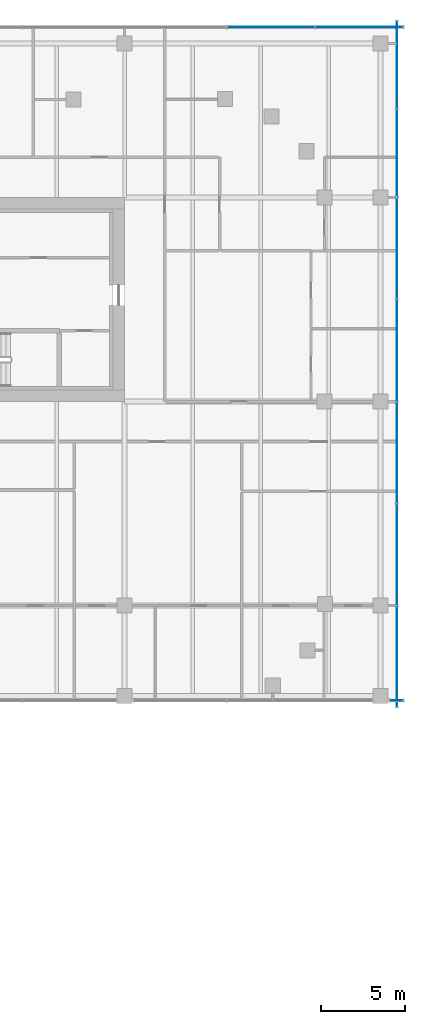
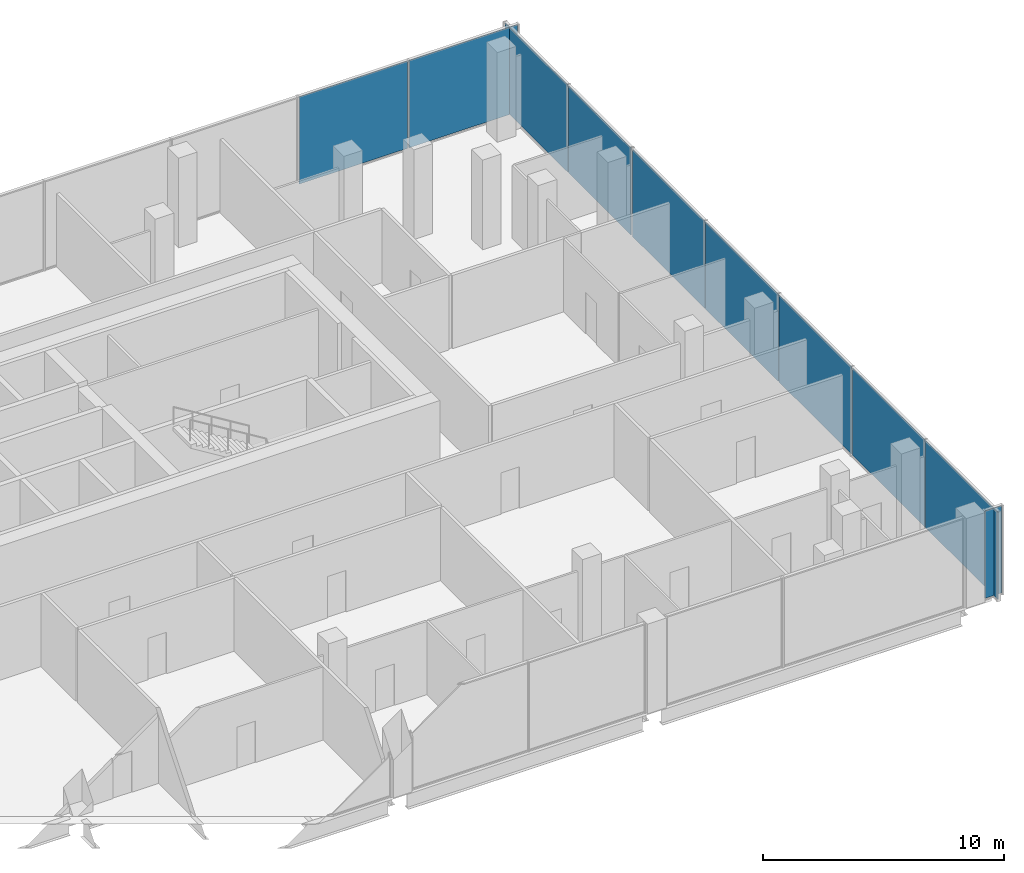
# One storey, part 21 of 33: 10 plates, 4 elements without a shape of their own.
"""IFC4 building model written with IfcOpenShell, lengths in metres."""

from ifc_helpers import new_model, si_unit, direction, frame, origin, origin_2d, place, context, subcontext, project, spatial, rectangle, extrude, material, layer, layer_set, type_object, element, aggregate, save


model = new_model("IFC4")

# Units and contexts
model_context = context("Model", 3, precision=1e-05, world=origin(), true_north=direction((0.0, 1.0)))
body_context = subcontext(model_context, "Body", "Model", "MODEL_VIEW")
ifc_project = project(units=[si_unit("LENGTHUNIT", "METRE"), si_unit("AREAUNIT", "SQUARE_METRE"), si_unit("VOLUMEUNIT", "CUBIC_METRE"), si_unit("PLANEANGLEUNIT", "RADIAN"), si_unit("MASSUNIT", "GRAM", prefix="KILO")], contexts=[model_context])

# Site, building, storey
site_placement = place(None, origin())
site = spatial("IfcSite", under=ifc_project, at=site_placement, CompositionType="ELEMENT")
building_placement = place(site_placement, origin())
building = spatial("IfcBuilding", under=site, at=building_placement, Name="Tessera Gate Towers", CompositionType="ELEMENT")
storey_placement = place(building_placement, frame((0.0, 0.0, 7.199951171875)))
storey = spatial("IfcBuildingStorey", under=building, at=storey_placement, Name="L01", CompositionType="ELEMENT", Elevation=7.199951171875)

# Curtain wall, plate
ifc_material_1 = material(Name="Aluminium frame", Category="aluminium")
curtain_wall_type = type_object("IfcCurtainWallType", Name="CW-S1 podium storefront", PredefinedType="NOTDEFINED", material=ifc_material_1)
curtain_wall_1_placement = place(storey_placement, origin())
curtain_wall_1 = element("IfcCurtainWall", 1, at=curtain_wall_1_placement, inside=storey, type_object=curtain_wall_type, Name="Curtain wall podium storefront 0172", PredefinedType="NOTDEFINED")
ifc_material_2 = material(Name="Low-e laminated glass", Category="glass")
ifc_layer = layer(ifc_material_2, 0.028076171875)
ifc_layer_set = layer_set([ifc_layer], Name="PN-S1 glass panel 28")
plate_type = type_object("IfcPlateType", Name="PN-S1 glass panel 28", PredefinedType="CURTAIN_PANEL", material=ifc_layer_set)
plate_1_placement = place(storey_placement, frame((138.239990234375, 18.72509765625, 0.06005859375), z_axis=(0.0, 0.0, 1.0), x_axis=(1.0, 0.0, 0.0)))
plate_1 = element("IfcPlate", 2, at=plate_1_placement, type_object=plate_type, Name="PD-CW1-0172 panel 1.1", PredefinedType="CURTAIN_PANEL", context=body_context, shape_type="SweptSolid", body=[
    extrude(rectangle(XDim=0.800048828125, YDim=0.028076171875, at=origin_2d()), origin(), (0.0, 0.0, 1.0), 4.429931640625),
])
aggregate(curtain_wall_1, [plate_1])

# Curtain wall, plates
curtain_wall_2_placement = place(storey_placement, origin())
curtain_wall_2 = element("IfcCurtainWall", 3, at=curtain_wall_2_placement, inside=storey, type_object=curtain_wall_type, Name="Curtain wall podium storefront 0179", PredefinedType="NOTDEFINED")
plate_2_placement = place(storey_placement, frame((138.27490234375, 21.364990234375, 0.06005859375), z_axis=(0.0, 0.0, 1.0), x_axis=(0.0, 1.0, 0.0)))
plate_2 = element("IfcPlate", 4, at=plate_2_placement, type_object=plate_type, Name="PD-CW1-0179 panel 1.1", PredefinedType="CURTAIN_PANEL", context=body_context, shape_type="SweptSolid", body=[
    extrude(rectangle(XDim=6.010009765625, YDim=0.028076171875, at=origin_2d()), origin(), (0.0, 0.0, 1.0), 4.429931640625),
])
plate_3_placement = place(storey_placement, frame((138.27490234375, 27.449951171875, 0.06005859375), z_axis=(0.0, 0.0, 1.0), x_axis=(0.0, 1.0, 0.0)))
plate_3 = element("IfcPlate", 5, at=plate_3_placement, type_object=plate_type, Name="PD-CW1-0179 panel 2.1", PredefinedType="CURTAIN_PANEL", context=body_context, shape_type="SweptSolid", body=[
    extrude(rectangle(XDim=6.0400390625, YDim=0.028076171875, at=origin_2d()), origin(), (0.0, 0.0, 1.0), 4.429931640625),
])
plate_4_placement = place(storey_placement, frame((138.27490234375, 33.550048828125, 0.06005859375), z_axis=(0.0, 0.0, 1.0), x_axis=(0.0, 1.0, 0.0)))
plate_4 = element("IfcPlate", 6, at=plate_4_placement, type_object=plate_type, Name="PD-CW1-0179 panel 3.1", PredefinedType="CURTAIN_PANEL", context=body_context, shape_type="SweptSolid", body=[
    extrude(rectangle(XDim=6.0400390625, YDim=0.028076171875, at=origin_2d()), origin(), (0.0, 0.0, 1.0), 4.429931640625),
])
plate_5_placement = place(storey_placement, frame((138.27490234375, 39.64990234375, 0.06005859375), z_axis=(0.0, 0.0, 1.0), x_axis=(0.0, 1.0, 0.0)))
plate_5 = element("IfcPlate", 7, at=plate_5_placement, type_object=plate_type, Name="PD-CW1-0179 panel 4.1", PredefinedType="CURTAIN_PANEL", context=body_context, shape_type="SweptSolid", body=[
    extrude(rectangle(XDim=6.0400390625, YDim=0.028076171875, at=origin_2d()), origin(), (0.0, 0.0, 1.0), 4.429931640625),
])
plate_6_placement = place(storey_placement, frame((138.27490234375, 45.735107421875, 0.06005859375), z_axis=(0.0, 0.0, 1.0), x_axis=(0.0, 1.0, 0.0)))
plate_6 = element("IfcPlate", 8, at=plate_6_placement, type_object=plate_type, Name="PD-CW1-0179 panel 5.1", PredefinedType="CURTAIN_PANEL", context=body_context, shape_type="SweptSolid", body=[
    extrude(rectangle(XDim=6.010009765625, YDim=0.028076171875, at=origin_2d()), origin(), (0.0, 0.0, 1.0), 4.429931640625),
])
aggregate(curtain_wall_2, [plate_2, plate_3, plate_4, plate_5, plate_6])

curtain_wall_3_placement = place(storey_placement, origin())
curtain_wall_3 = element("IfcCurtainWall", 9, at=curtain_wall_3_placement, inside=storey, type_object=curtain_wall_type, Name="Curtain wall podium storefront 0182", PredefinedType="NOTDEFINED")
plate_7_placement = place(storey_placement, frame((138.27490234375, 51.465087890625, 0.06005859375), z_axis=(0.0, 0.0, 1.0), x_axis=(0.0, 1.0, 0.0)))
plate_7 = element("IfcPlate", 10, at=plate_7_placement, type_object=plate_type, Name="PD-CW1-0182 panel 1.1", PredefinedType="CURTAIN_PANEL", context=body_context, shape_type="SweptSolid", body=[
    extrude(rectangle(XDim=5.2099609375, YDim=0.028076171875, at=origin_2d()), origin(), (0.0, 0.0, 1.0), 4.429931640625),
])
plate_8_placement = place(storey_placement, frame((138.27490234375, 56.735107421875, 0.06005859375), z_axis=(0.0, 0.0, 1.0), x_axis=(0.0, 1.0, 0.0)))
plate_8 = element("IfcPlate", 11, at=plate_8_placement, type_object=plate_type, Name="PD-CW1-0182 panel 2.1", PredefinedType="CURTAIN_PANEL", context=body_context, shape_type="SweptSolid", body=[
    extrude(rectangle(XDim=5.2099609375, YDim=0.028076171875, at=origin_2d()), origin(), (0.0, 0.0, 1.0), 4.429931640625),
])
aggregate(curtain_wall_3, [plate_7, plate_8])

curtain_wall_4_placement = place(storey_placement, origin())
curtain_wall_4 = element("IfcCurtainWall", 12, at=curtain_wall_4_placement, inside=storey, type_object=curtain_wall_type, Name="Curtain wall podium storefront 0185", PredefinedType="NOTDEFINED")
plate_9_placement = place(storey_placement, frame((136.034912109375, 58.97509765625, 0.06005859375), z_axis=(0.0, 0.0, 1.0), x_axis=(-1.0, 0.0, 0.0)))
plate_9 = element("IfcPlate", 13, at=plate_9_placement, type_object=plate_type, Name="PD-CW1-0185 panel 1.1", PredefinedType="CURTAIN_PANEL", context=body_context, shape_type="SweptSolid", body=[
    extrude(rectangle(XDim=5.2099609375, YDim=0.028076171875, at=origin_2d()), origin(), (0.0, 0.0, 1.0), 4.429931640625),
])
plate_10_placement = place(storey_placement, frame((130.764892578125, 58.97509765625, 0.06005859375), z_axis=(0.0, 0.0, 1.0), x_axis=(-1.0, 0.0, 0.0)))
plate_10 = element("IfcPlate", 14, at=plate_10_placement, type_object=plate_type, Name="PD-CW1-0185 panel 2.1", PredefinedType="CURTAIN_PANEL", context=body_context, shape_type="SweptSolid", body=[
    extrude(rectangle(XDim=5.2099609375, YDim=0.028076171875, at=origin_2d()), origin(), (0.0, 0.0, 1.0), 4.429931640625),
])
aggregate(curtain_wall_4, [plate_9, plate_10])

save(model, "model.ifc")
